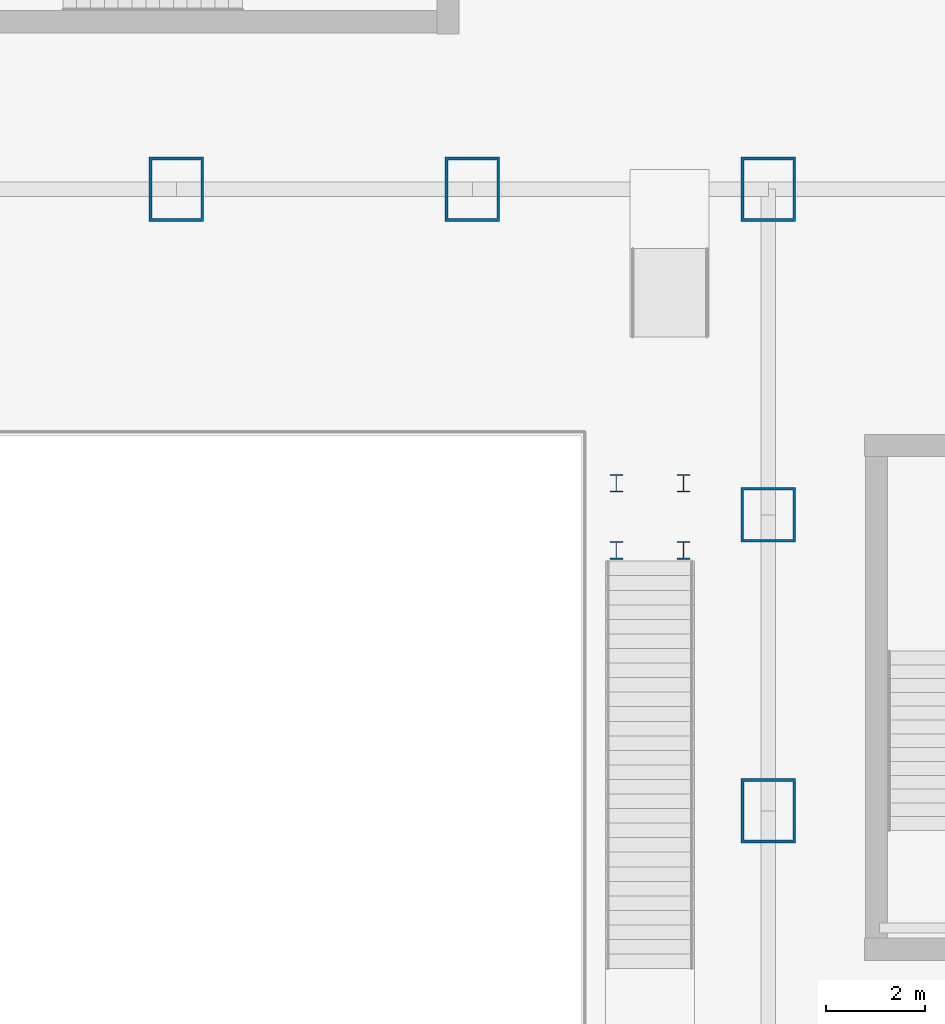
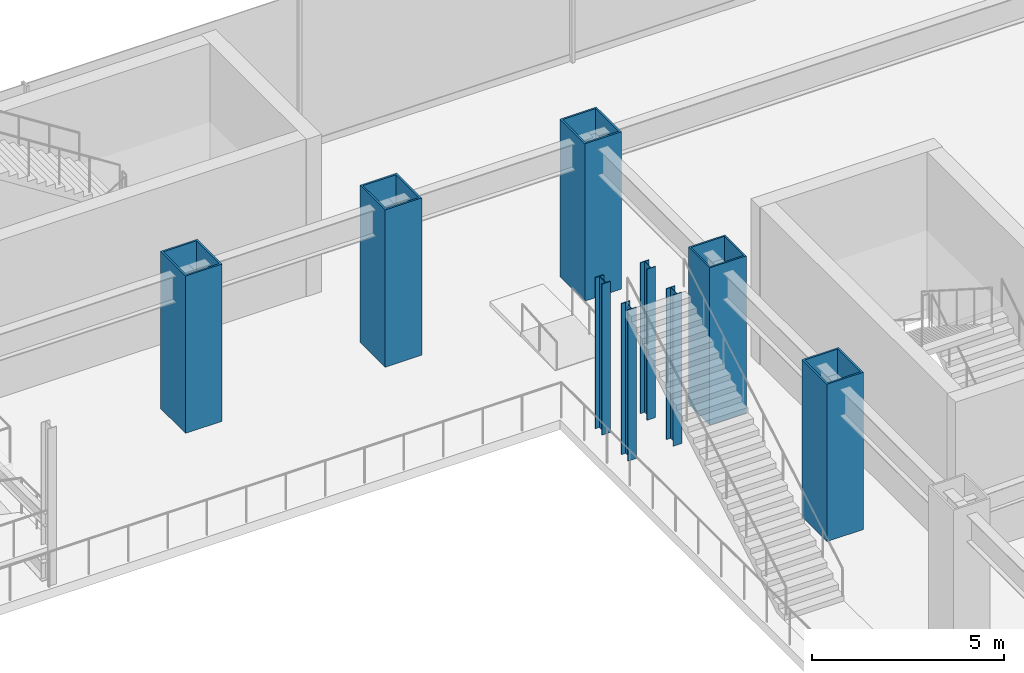
# One storey, part 3 of 40: 9 columns.
"""IFC4 building model written with IfcOpenShell, lengths in metres."""

from ifc_helpers import new_model, si_unit, derived_unit, direction, frame, origin, origin_2d, place, context, subcontext, project, spatial, hollow_rectangle, i_section, extrude, source, transform, mapped, material, material_profile, profile_set, type_object, element, save


model = new_model("IFC4")

# Units and contexts
model_context = context("Model", 3, precision=1e-05, world=origin(), true_north=direction((0.0, 1.0)))
body_context = subcontext(model_context, "Body", "Model", "MODEL_VIEW")
ifc_project = project(units=[si_unit("LENGTHUNIT", "METRE"), si_unit("AREAUNIT", "SQUARE_METRE"), si_unit("VOLUMEUNIT", "CUBIC_METRE"), si_unit("PLANEANGLEUNIT", "RADIAN"), si_unit("MASSUNIT", "GRAM", prefix="KILO"), derived_unit("THERMALTRANSMITTANCEUNIT", [(si_unit("POWERUNIT", "WATT"), 1), (si_unit("LENGTHUNIT", "METRE"), -2), (si_unit("THERMODYNAMICTEMPERATUREUNIT", "KELVIN"), -1)])], contexts=[model_context])

# Site, building, storey
site_placement = place(None, origin())
site = spatial("IfcSite", under=ifc_project, at=site_placement, CompositionType="ELEMENT")
building_placement = place(site_placement, origin())
building = spatial("IfcBuilding", under=site, at=building_placement, Name="Skarnbrae Concourse Arena and Tower", CompositionType="ELEMENT")
storey_placement = place(building_placement, frame((0.0, 0.0, 6.0)))
storey = spatial("IfcBuildingStorey", under=building, at=storey_placement, Name="L01", CompositionType="ELEMENT", Elevation=6.0)

# Columns
ifc_material = material(Name="Steel CSA G40.21 350W", Category="steel")
ifc_material_profile_1 = material_profile(ifc_material, hollow_rectangle(XDim=1.10009765625, YDim=1.10009765625, WallThickness=0.050048828125, at=origin_2d()), Name="BOX1100X1100X50")
ifc_profile_set_1 = profile_set([ifc_material_profile_1], Name="Steel CSA G40.21 350W")
column_type_1 = type_object("IfcColumnType", Name="COL-MEGA-BOX1100", PredefinedType="PILASTER", material=ifc_profile_set_1)
shared_shape_1 = source(origin(), body_context, "Body", "SweptSolid", [
    extrude(hollow_rectangle(XDim=1.10009765625, YDim=1.10009765625, WallThickness=0.050048828125, at=origin_2d()), origin(), (0.0, 0.0, 1.0), 5.0),
])
column_placement = place(storey_placement, frame((61.0, 40.39990234375, 0.0), z_axis=(0.0, 0.0, 1.0), x_axis=(1.0, 0.0, 0.0)))
element("IfcColumn", 1, at=column_placement, inside=storey, type_object=column_type_1, Name="L01 Podium mega-column MC-E4", PredefinedType="PILASTER", context=body_context, shape_type="MappedRepresentation", body=[
    mapped(shared_shape_1, transform((0.0, 0.0, 0.0))),
])
ifc_material_profile_2 = material_profile(ifc_material, hollow_rectangle(XDim=1.10009765625, YDim=1.300048828125, WallThickness=0.054931640625, at=origin_2d()), Name="BOX1300X1100X55")
ifc_profile_set_2 = profile_set([ifc_material_profile_2], Name="Steel CSA G40.21 350W")
column_type_2 = type_object("IfcColumnType", Name="COL-MEGA-BOX1300", PredefinedType="PILASTER", material=ifc_profile_set_2)
shared_shape_2 = source(origin(), body_context, "Body", "SweptSolid", [
    extrude(hollow_rectangle(XDim=1.10009765625, YDim=1.300048828125, WallThickness=0.054931640625, at=origin_2d()), origin(), (0.0, 0.0, 1.0), 5.0),
])
for number, where, z_axis, x_axis, name in (
    (2, (49.0, 47.0, 0.0), (0.0, 0.0, 1.0), (1.0, 0.0, 0.0), "L01 Podium mega-column MC-N8"),
    (3, (55.0, 47.0, 0.0), (0.0, 0.0, 1.0), (1.0, 0.0, 0.0), "L01 Podium mega-column MC-N9"),
    (4, (61.0, 47.0, 0.0), (0.0, 0.0, 1.0), (1.0, 0.0, 0.0), "L01 Podium mega-column MC-N10"),
    (5, (61.0, 34.39990234375, 0.0), (0.0, 0.0, 1.0), (1.0, 0.0, 0.0), "L01 Podium mega-column MC-E3"),
):
    element("IfcColumn", number, at=place(storey_placement, frame(where, z_axis=z_axis, x_axis=x_axis)), inside=storey, type_object=column_type_2, Name=name, PredefinedType="PILASTER", context=body_context, shape_type="MappedRepresentation", body=[
        mapped(shared_shape_2, transform((0.0, 0.0, 0.0))),
    ])
ifc_material_profile_3 = material_profile(ifc_material, i_section(OverallWidth=0.257080078125, OverallDepth=0.363037109375, WebThickness=0.012939453125, FlangeThickness=0.021728515625, at=origin_2d()), Name="W360X122")
ifc_profile_set_3 = profile_set([ifc_material_profile_3], Name="Steel CSA G40.21 350W")
column_type_3 = type_object("IfcColumnType", Name="COL-POD-W360X122", PredefinedType="COLUMN", material=ifc_profile_set_3)
shared_shape_3 = source(origin(), body_context, "Body", "SweptSolid", [
    extrude(i_section(OverallWidth=0.257080078125, OverallDepth=0.363037109375, WebThickness=0.012939453125, FlangeThickness=0.021728515625, at=origin_2d()), origin(), (0.0, 0.0, 1.0), 4.800048828125),
])
for number, where, z_axis, x_axis, name in (
    (6, (57.919921875, 39.679931640625, 0.0), (0.0, 0.0, 1.0), (1.0, 0.0, 0.0), "L01 Concourse stair ST-CONC-3-L01 TOP post 11"),
    (7, (57.919921875, 41.0400390625, 0.0), (0.0, 0.0, 1.0), (1.0, 0.0, 0.0), "L01 Concourse stair ST-CONC-3-L01 TOP post 12"),
    (8, (59.280029296875, 39.679931640625, 0.0), (0.0, 0.0, 1.0), (1.0, 0.0, 0.0), "L01 Concourse stair ST-CONC-3-L01 TOP post 21"),
    (9, (59.280029296875, 41.0400390625, 0.0), (0.0, 0.0, 1.0), (1.0, 0.0, 0.0), "L01 Concourse stair ST-CONC-3-L01 TOP post 22"),
):
    element("IfcColumn", number, at=place(storey_placement, frame(where, z_axis=z_axis, x_axis=x_axis)), inside=storey, type_object=column_type_3, Name=name, PredefinedType="COLUMN", context=body_context, shape_type="MappedRepresentation", body=[
        mapped(shared_shape_3, transform((0.0, 0.0, 0.0))),
    ])

save(model, "model.ifc")
